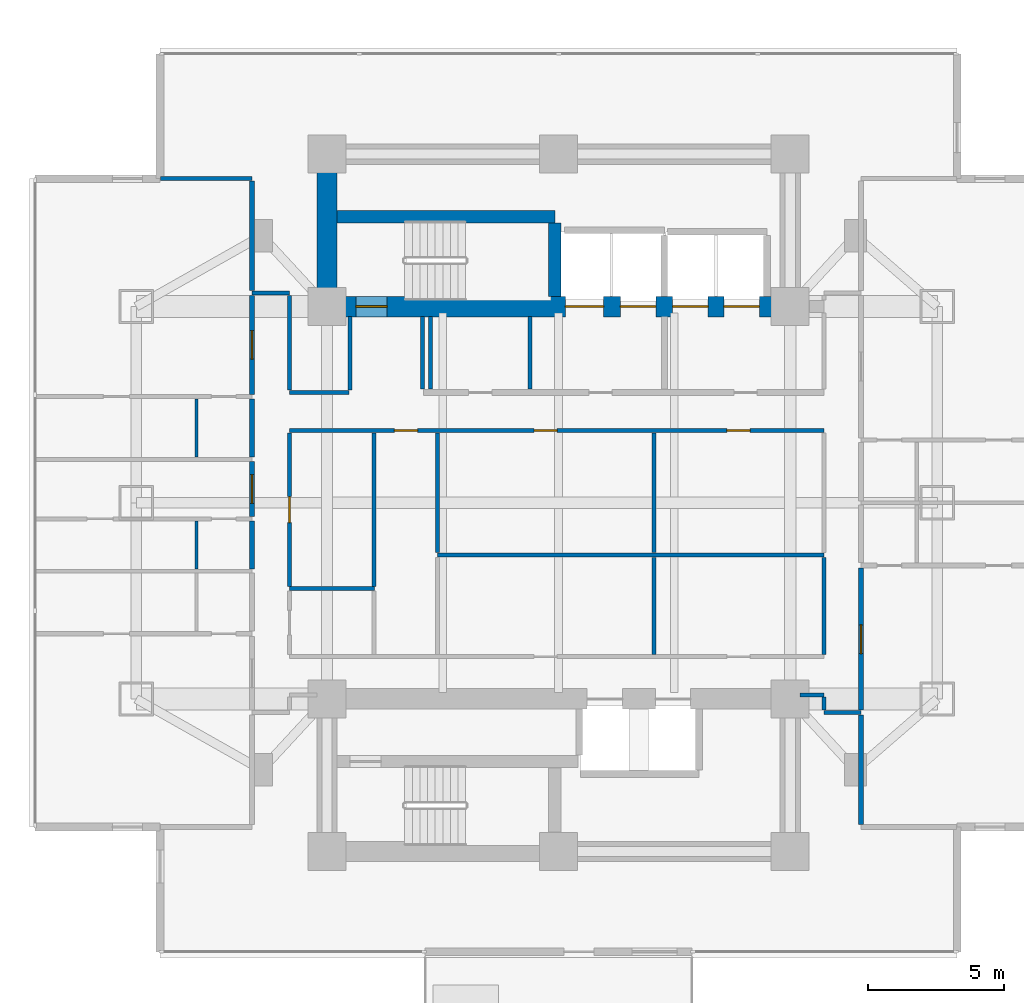
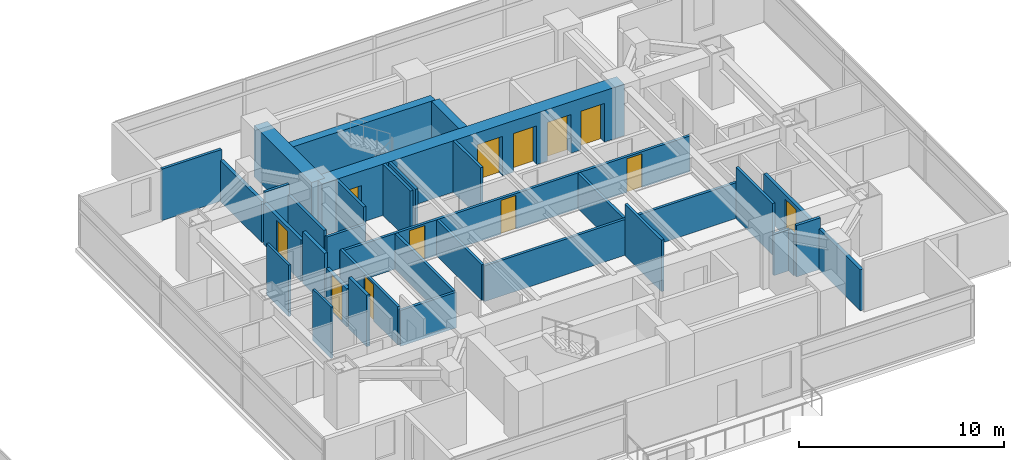
# One storey, part 19 of 27: 33 walls, 12 doors, 12 openings.
"""IFC4 building model written with IfcOpenShell, lengths in metres."""

from ifc_helpers import new_model, si_unit, direction, frame, frame_2d, origin, place, context, subcontext, project, spatial, rectangle, extrude, material, layer, layer_set, type_object, element, fill, save


model = new_model("IFC4")

# Units and contexts
model_context = context("Model", 3, precision=1e-05, world=origin(), true_north=direction((0.0, 1.0)))
body_context = subcontext(model_context, "Body", "Model", "MODEL_VIEW")
ifc_project = project(units=[si_unit("LENGTHUNIT", "METRE"), si_unit("AREAUNIT", "SQUARE_METRE"), si_unit("VOLUMEUNIT", "CUBIC_METRE"), si_unit("PLANEANGLEUNIT", "RADIAN"), si_unit("MASSUNIT", "GRAM", prefix="KILO")], contexts=[model_context])

# Site, building, storey
site_placement = place(None, origin())
site = spatial("IfcSite", under=ifc_project, at=site_placement, CompositionType="ELEMENT")
building_placement = place(site_placement, origin())
building = spatial("IfcBuilding", under=site, at=building_placement, Name="Mirazonda Arch Towers", CompositionType="ELEMENT")
storey_placement = place(building_placement, frame((0.0, 0.0, 42.199951171875)))
storey = spatial("IfcBuildingStorey", under=building, at=storey_placement, Name="L11", CompositionType="ELEMENT", Elevation=42.199951171875)

# Walls
ifc_material_1 = material(Name="Concrete C50/60", Category="concrete")
ifc_layer_1 = layer(ifc_material_1, 0.449951171875, Name="WALL-CORE-450")
ifc_layer_set_1 = layer_set([ifc_layer_1], Name="Concrete C50/60")
wall_type_1 = type_object("IfcWallType", Name="WALL-CORE-450", PredefinedType="SHEAR", material=ifc_layer_set_1)
wall_1_placement = place(storey_placement, frame((68.3701171875, 38.5, 0.0), z_axis=(0.0, 0.0, 1.0), x_axis=(1.0, 0.0, 0.0)))
element("IfcWall", 1, at=wall_1_placement, inside=storey, type_object=wall_type_1, Name="L11 Stair Core Shear Wall 056", PredefinedType="SHEAR", context=body_context, shape_type="SweptSolid", body=[
    extrude(rectangle(XDim=7.989990234375, YDim=0.449951171875, at=frame_2d((3.9951171875, 0.0))), origin(), (0.0, 0.0, 1.0), 3.06005859375),
])
wall_2_placement = place(storey_placement, frame((76.360107421875, 35.570068359375, 0.0), z_axis=(0.0, 0.0, 1.0), x_axis=(0.0, 1.0, 0.0)))
element("IfcWall", 2, at=wall_2_placement, inside=storey, type_object=wall_type_1, Name="L11 Stair Core Shear Wall 149", PredefinedType="SHEAR", context=body_context, shape_type="SweptSolid", body=[
    extrude(rectangle(XDim=2.69482421875, YDim=0.449951171875, at=frame_2d((1.347412109375, 0.0))), origin(), (0.0, 0.0, 1.0), 3.06005859375),
])
ifc_material_2 = material(Name="Concrete C60/75", Category="concrete")
ifc_layer_2 = layer(ifc_material_2, 0.75, Name="WALL-CORE-750")
ifc_layer_set_2 = layer_set([ifc_layer_2], Name="Concrete C60/75")
wall_type_2 = type_object("IfcWallType", Name="WALL-CORE-750", PredefinedType="SHEAR", material=ifc_layer_set_2)
wall_3_placement = place(storey_placement, frame((68.0, 35.199951171875, 0.0), z_axis=(0.0, 0.0, 1.0), x_axis=(0.0, 1.0, 0.0)))
element("IfcWall", 3, at=wall_3_placement, inside=storey, type_object=wall_type_2, Name="L11 T2N-W Core Shear Wall", PredefinedType="SHEAR", context=body_context, shape_type="SweptSolid", body=[
    extrude(rectangle(XDim=5.60009765625, YDim=0.75, at=frame_2d((2.800048828125, 0.0))), origin(), (0.0, 0.0, 1.0), 3.06005859375),
])

# Wall, openings, doors
wall_4_placement = place(storey_placement, frame((68.0, 35.199951171875, 0.0), z_axis=(0.0, 0.0, 1.0), x_axis=(1.0, 0.0, 0.0)))
wall_4 = element("IfcWall", 4, at=wall_4_placement, inside=storey, type_object=wall_type_2, Name="L11 T2N-S Core Shear Wall", PredefinedType="SHEAR", context=body_context, shape_type="SweptSolid", body=[
    extrude(rectangle(XDim=17.0, YDim=0.75, at=frame_2d((8.5, 0.0))), origin(), (0.0, 0.0, 1.0), 3.06005859375),
])
opening_1_placement = place(wall_4_placement, frame((1.06005859375, 0.0, 0.0)))
opening_1 = element("IfcOpeningElement", 5, at=opening_1_placement, cuts=wall_4, Name="Opening DR-135", PredefinedType="OPENING", context=body_context, shape_type="SweptSolid", body=[
    extrude(rectangle(XDim=1.14990234375, YDim=2.199951171875, at=frame_2d((0.574951171875, 1.10009765625))), frame((0.0, 0.385009765625, 0.0), z_axis=(0.0, -1.0, 0.0), x_axis=(1.0, 0.0, 0.0)), (0.0, 0.0, 1.0), 0.77001953125),
])
opening_2_placement = place(wall_4_placement, frame((8.75, 0.0, 0.0)))
opening_2 = element("IfcOpeningElement", 6, at=opening_2_placement, cuts=wall_4, Name="Opening LD-112", PredefinedType="OPENING", context=body_context, shape_type="SweptSolid", body=[
    extrude(rectangle(XDim=1.39990234375, YDim=2.35009765625, at=frame_2d((0.699951171875, 1.175048828125))), frame((0.0, 0.385009765625, 0.0), z_axis=(0.0, -1.0, 0.0), x_axis=(1.0, 0.0, 0.0)), (0.0, 0.0, 1.0), 0.77001953125),
])
opening_3_placement = place(wall_4_placement, frame((10.77001953125, 0.0, 0.0)))
opening_3 = element("IfcOpeningElement", 7, at=opening_3_placement, cuts=wall_4, Name="Opening LD-111", PredefinedType="OPENING", context=body_context, shape_type="SweptSolid", body=[
    extrude(rectangle(XDim=1.300048828125, YDim=2.300048828125, at=frame_2d((0.64990234375, 1.14990234375))), frame((0.0, 0.385009765625, 0.0), z_axis=(0.0, -1.0, 0.0), x_axis=(1.0, 0.0, 0.0)), (0.0, 0.0, 1.0), 0.77001953125),
])
opening_4_placement = place(wall_4_placement, frame((12.68994140625, 0.0, 0.0)))
opening_4 = element("IfcOpeningElement", 8, at=opening_4_placement, cuts=wall_4, Name="Opening LD-111", PredefinedType="OPENING", context=body_context, shape_type="SweptSolid", body=[
    extrude(rectangle(XDim=1.300048828125, YDim=2.300048828125, at=frame_2d((0.64990234375, 1.14990234375))), frame((0.0, 0.385009765625, 0.0), z_axis=(0.0, -1.0, 0.0), x_axis=(1.0, 0.0, 0.0)), (0.0, 0.0, 1.0), 0.77001953125),
])
opening_5_placement = place(wall_4_placement, frame((14.570068359375, 0.0, 0.0)))
opening_5 = element("IfcOpeningElement", 9, at=opening_5_placement, cuts=wall_4, Name="Opening LD-111", PredefinedType="OPENING", context=body_context, shape_type="SweptSolid", body=[
    extrude(rectangle(XDim=1.300048828125, YDim=2.300048828125, at=frame_2d((0.64990234375, 1.14990234375))), frame((0.0, 0.385009765625, 0.0), z_axis=(0.0, -1.0, 0.0), x_axis=(1.0, 0.0, 0.0)), (0.0, 0.0, 1.0), 0.77001953125),
])
ifc_material_3 = material(Name="Architectural Brushed Steel S355", Category="steel")
door_type_1 = type_object("IfcDoorType", Name="DOOR-LIFT-FFL-1400", OperationType="NOTDEFINED", PredefinedType="DOOR", material=ifc_material_3)
door_1_placement = place(opening_2_placement, origin())
door_1 = element("IfcDoor", 10, at=door_1_placement, inside=storey, type_object=door_type_1, Name="L11 Lift Landing Sliding Door FFL-T2", OperationType="DOUBLE_DOOR_SLIDING", OverallHeight=2.35009765625, OverallWidth=1.39990234375, PredefinedType="DOOR", context=body_context, shape_type="SweptSolid", body=[
    extrude(rectangle(XDim=1.39990234375, YDim=2.35009765625, at=frame_2d((0.699951171875, 1.175048828125))), frame((0.0, 0.02490234375, 0.0), z_axis=(0.0, -1.0, 0.0), x_axis=(1.0, 0.0, 0.0)), (0.0, 0.0, 1.0), 0.050048828125),
])
fill(opening_2, door_1)
door_type_2 = type_object("IfcDoorType", Name="DOOR-LIFT-LAND-1300", OperationType="NOTDEFINED", PredefinedType="DOOR", material=ifc_material_3)
door_2_placement = place(opening_3_placement, origin())
door_2 = element("IfcDoor", 11, at=door_2_placement, inside=storey, type_object=door_type_2, Name="L11 Lift Landing Sliding Door SVL-T2", OperationType="DOUBLE_DOOR_SLIDING", OverallHeight=2.300048828125, OverallWidth=1.300048828125, PredefinedType="DOOR", context=body_context, shape_type="SweptSolid", body=[
    extrude(rectangle(XDim=1.300048828125, YDim=2.300048828125, at=frame_2d((0.64990234375, 1.14990234375))), frame((0.0, 0.02490234375, 0.0), z_axis=(0.0, -1.0, 0.0), x_axis=(1.0, 0.0, 0.0)), (0.0, 0.0, 1.0), 0.050048828125),
])
fill(opening_3, door_2)
door_3_placement = place(opening_4_placement, origin())
door_3 = element("IfcDoor", 12, at=door_3_placement, inside=storey, type_object=door_type_2, Name="L11 Lift Landing Sliding Door PL-T2L1", OperationType="DOUBLE_DOOR_SLIDING", OverallHeight=2.300048828125, OverallWidth=1.300048828125, PredefinedType="DOOR", context=body_context, shape_type="SweptSolid", body=[
    extrude(rectangle(XDim=1.300048828125, YDim=2.300048828125, at=frame_2d((0.64990234375, 1.14990234375))), frame((0.0, 0.02490234375, 0.0), z_axis=(0.0, -1.0, 0.0), x_axis=(1.0, 0.0, 0.0)), (0.0, 0.0, 1.0), 0.050048828125),
])
fill(opening_4, door_3)
door_4_placement = place(opening_5_placement, origin())
door_4 = element("IfcDoor", 13, at=door_4_placement, inside=storey, type_object=door_type_2, Name="L11 Lift Landing Sliding Door PL-T2L2", OperationType="DOUBLE_DOOR_SLIDING", OverallHeight=2.300048828125, OverallWidth=1.300048828125, PredefinedType="DOOR", context=body_context, shape_type="SweptSolid", body=[
    extrude(rectangle(XDim=1.300048828125, YDim=2.300048828125, at=frame_2d((0.64990234375, 1.14990234375))), frame((0.0, 0.02490234375, 0.0), z_axis=(0.0, -1.0, 0.0), x_axis=(1.0, 0.0, 0.0)), (0.0, 0.0, 1.0), 0.050048828125),
])
fill(opening_5, door_4)
door_type_3 = type_object("IfcDoorType", Name="DOOR-STAIR-FD90-1150", OperationType="NOTDEFINED", PredefinedType="DOOR", material=ifc_material_3)
door_5_placement = place(opening_1_placement, origin())
door_5 = element("IfcDoor", 14, at=door_5_placement, inside=storey, type_object=door_type_3, Name="L11 East Protected Stair North Door", OperationType="SINGLE_SWING_RIGHT", OverallHeight=2.199951171875, OverallWidth=1.14990234375, PredefinedType="DOOR", context=body_context, shape_type="SweptSolid", body=[
    extrude(rectangle(XDim=1.14990234375, YDim=2.199951171875, at=frame_2d((0.574951171875, 1.10009765625))), frame((0.0, 0.02490234375, 0.0), z_axis=(0.0, -1.0, 0.0), x_axis=(1.0, 0.0, 0.0)), (0.0, 0.0, 1.0), 0.050048828125),
])
fill(opening_1, door_5)

# Walls
ifc_material_4 = material(Name="Fire-Rated Gypsum Stud Partition")
ifc_layer_3 = layer(ifc_material_4, 0.14990234375, Name="WALL-PART-CORR-150")
ifc_layer_set_3 = layer_set([ifc_layer_3], Name="Fire-Rated Gypsum Stud Partition")
wall_type_3 = type_object("IfcWallType", Name="WALL-PART-CORR-150", PredefinedType="PARTITIONING", material=ifc_layer_set_3)
wall_5_placement = place(storey_placement, frame((86.25, 20.300048828125, 0.0), z_axis=(0.0, 0.0, 1.0), x_axis=(1.0, 0.0, 0.0)))
element("IfcWall", 15, at=wall_5_placement, inside=storey, type_object=wall_type_3, Name="L11 Interior Partition 018", PredefinedType="PARTITIONING", context=body_context, shape_type="SweptSolid", body=[
    extrude(rectangle(XDim=1.35009765625, YDim=0.14990234375, at=frame_2d((0.675048828125, 0.0))), origin(), (0.0, 0.0, 1.0), 3.06005859375),
])
wall_6_placement = place(storey_placement, frame((85.3701171875, 20.949951171875, 0.0), z_axis=(0.0, 0.0, 1.0), x_axis=(1.0, 0.0, 0.0)))
element("IfcWall", 16, at=wall_6_placement, inside=storey, type_object=wall_type_3, Name="L11 Interior Partition 021", PredefinedType="PARTITIONING", context=body_context, shape_type="SweptSolid", body=[
    extrude(rectangle(XDim=0.8798828125, YDim=0.14990234375, at=frame_2d((0.43994140625, 0.0))), origin(), (0.0, 0.0, 1.0), 2.4521484375),
])
wall_7_placement = place(storey_placement, frame((66.6201171875, 24.85009765625, 0.0), z_axis=(0.0, 0.0, 1.0), x_axis=(1.0, 0.0, 0.0)))
element("IfcWall", 17, at=wall_7_placement, inside=storey, type_object=wall_type_3, Name="L11 Interior Partition 027", PredefinedType="PARTITIONING", context=body_context, shape_type="SweptSolid", body=[
    extrude(rectangle(XDim=3.1298828125, YDim=0.14990234375, at=frame_2d((1.56494140625, 0.0))), origin(), (0.0, 0.0, 1.0), 2.125),
])
wall_8_placement = place(storey_placement, frame((72.050048828125, 26.0849609375, 0.0), z_axis=(0.0, 0.0, 1.0), x_axis=(1.0, 0.0, 0.0)))
element("IfcWall", 18, at=wall_8_placement, inside=storey, type_object=wall_type_3, Name="L11 Interior Partition 032", PredefinedType="PARTITIONING", context=body_context, shape_type="SweptSolid", body=[
    extrude(rectangle(XDim=14.199951171875, YDim=0.14990234375, at=frame_2d((7.10009765625, 0.0))), origin(), (0.0, 0.0, 1.0), 2.125),
])

# Wall, openings, doors
wall_9_placement = place(storey_placement, frame((66.6201171875, 30.64990234375, 0.0), z_axis=(0.0, 0.0, 1.0), x_axis=(1.0, 0.0, 0.0)))
wall_9 = element("IfcWall", 19, at=wall_9_placement, inside=storey, type_object=wall_type_3, Name="L11 Interior Partition 039", PredefinedType="PARTITIONING", context=body_context, shape_type="SweptSolid", body=[
    extrude(rectangle(XDim=19.6298828125, YDim=0.14990234375, at=frame_2d((9.81494140625, 0.0))), origin(), (0.0, 0.0, 1.0), 2.125),
])
opening_6_placement = place(wall_9_placement, frame((3.85498046875, 0.0, 0.0)))
opening_6 = element("IfcOpeningElement", 20, at=opening_6_placement, cuts=wall_9, Name="Opening DR-128", PredefinedType="OPENING", context=body_context, shape_type="SweptSolid", body=[
    extrude(rectangle(XDim=0.85009765625, YDim=2.010009765625, at=frame_2d((0.425048828125, 1.0048828125))), frame((0.0, 0.0849609375, 0.0), z_axis=(0.0, -1.0, 0.0), x_axis=(1.0, 0.0, 0.0)), (0.0, 0.0, 1.0), 0.169921875),
])
opening_7_placement = place(wall_9_placement, frame((8.98095703125, 0.0, 0.0)))
opening_7 = element("IfcOpeningElement", 21, at=opening_7_placement, cuts=wall_9, Name="Opening DR-128", PredefinedType="OPENING", context=body_context, shape_type="SweptSolid", body=[
    extrude(rectangle(XDim=0.85009765625, YDim=2.010009765625, at=frame_2d((0.425048828125, 1.0048828125))), frame((0.0, 0.0849609375, 0.0), z_axis=(0.0, -1.0, 0.0), x_axis=(1.0, 0.0, 0.0)), (0.0, 0.0, 1.0), 0.169921875),
])
opening_8_placement = place(wall_9_placement, frame((16.06103515625, 0.0, 0.0)))
opening_8 = element("IfcOpeningElement", 22, at=opening_8_placement, cuts=wall_9, Name="Opening DR-128", PredefinedType="OPENING", context=body_context, shape_type="SweptSolid", body=[
    extrude(rectangle(XDim=0.85009765625, YDim=2.010009765625, at=frame_2d((0.425048828125, 1.0048828125))), frame((0.0, 0.0849609375, 0.0), z_axis=(0.0, -1.0, 0.0), x_axis=(1.0, 0.0, 0.0)), (0.0, 0.0, 1.0), 0.169921875),
])
door_type_4 = type_object("IfcDoorType", Name="DOOR-RISER-FD60-850", OperationType="NOTDEFINED", PredefinedType="DOOR", material=ifc_material_3)
door_6_placement = place(opening_6_placement, origin())
door_6 = element("IfcDoor", 23, at=door_6_placement, inside=storey, type_object=door_type_4, Name="L11 L11 East Courtyard Study Door", OperationType="SINGLE_SWING_LEFT", OverallHeight=2.010009765625, OverallWidth=0.85009765625, PredefinedType="DOOR", context=body_context, shape_type="SweptSolid", body=[
    extrude(rectangle(XDim=0.85009765625, YDim=2.010009765625, at=frame_2d((0.425048828125, 1.0048828125))), frame((0.0, 0.02490234375, 0.0), z_axis=(0.0, -1.0, 0.0), x_axis=(1.0, 0.0, 0.0)), (0.0, 0.0, 1.0), 0.050048828125),
])
fill(opening_6, door_6)
door_7_placement = place(opening_7_placement, origin())
door_7 = element("IfcDoor", 24, at=door_7_placement, inside=storey, type_object=door_type_4, Name="L11 Concierge Salon Door", OperationType="SINGLE_SWING_RIGHT", OverallHeight=2.010009765625, OverallWidth=0.85009765625, PredefinedType="DOOR", context=body_context, shape_type="SweptSolid", body=[
    extrude(rectangle(XDim=0.85009765625, YDim=2.010009765625, at=frame_2d((0.425048828125, 1.0048828125))), frame((0.0, 0.02490234375, 0.0), z_axis=(0.0, -1.0, 0.0), x_axis=(1.0, 0.0, 0.0)), (0.0, 0.0, 1.0), 0.050048828125),
])
fill(opening_7, door_7)
door_8_placement = place(opening_8_placement, origin())
door_8 = element("IfcDoor", 25, at=door_8_placement, inside=storey, type_object=door_type_4, Name="L11 Private Meeting Suite Door", OperationType="SINGLE_SWING_LEFT", OverallHeight=2.010009765625, OverallWidth=0.85009765625, PredefinedType="DOOR", context=body_context, shape_type="SweptSolid", body=[
    extrude(rectangle(XDim=0.85009765625, YDim=2.010009765625, at=frame_2d((0.425048828125, 1.0048828125))), frame((0.0, 0.02490234375, 0.0), z_axis=(0.0, -1.0, 0.0), x_axis=(1.0, 0.0, 0.0)), (0.0, 0.0, 1.0), 0.050048828125),
])
fill(opening_8, door_8)

# Walls
wall_10_placement = place(storey_placement, frame((66.6201171875, 32.050048828125, 0.0), z_axis=(0.0, 0.0, 1.0), x_axis=(1.0, 0.0, 0.0)))
element("IfcWall", 26, at=wall_10_placement, inside=storey, type_object=wall_type_3, Name="L11 Interior Partition 042", PredefinedType="PARTITIONING", context=body_context, shape_type="SweptSolid", body=[
    extrude(rectangle(XDim=2.179931640625, YDim=0.14990234375, at=frame_2d((1.08984375, 0.0))), origin(), (0.0, 0.0, 1.0), 2.125),
])
wall_11_placement = place(storey_placement, frame((65.25, 35.699951171875, 0.0), z_axis=(0.0, 0.0, 1.0), x_axis=(1.0, 0.0, 0.0)))
element("IfcWall", 27, at=wall_11_placement, inside=storey, type_object=wall_type_3, Name="L11 Interior Partition 051", PredefinedType="PARTITIONING", context=body_context, shape_type="SweptSolid", body=[
    extrude(rectangle(XDim=1.3701171875, YDim=0.14990234375, at=frame_2d((0.68505859375, 0.0))), origin(), (0.0, 0.0, 1.0), 3.06005859375),
])
wall_12_placement = place(storey_placement, frame((61.89208984375, 39.89990234375, 0.0), z_axis=(0.0, 0.0, 1.0), x_axis=(1.0, 0.0, 0.0)))
element("IfcWall", 28, at=wall_12_placement, inside=storey, type_object=wall_type_3, Name="L11 Interior Partition 057", PredefinedType="PARTITIONING", context=body_context, shape_type="SweptSolid", body=[
    extrude(rectangle(XDim=3.35791015625, YDim=0.14990234375, at=frame_2d((1.678955078125, 0.0))), origin(), (0.0, 0.0, 1.0), 3.06005859375),
])

# Wall, opening, door
wall_13_placement = place(storey_placement, frame((66.6201171875, 24.93505859375, 0.0), z_axis=(0.0, 0.0, 1.0), x_axis=(0.0, 1.0, 0.0)))
wall_13 = element("IfcWall", 29, at=wall_13_placement, inside=storey, type_object=wall_type_3, Name="L11 Interior Partition 138", PredefinedType="PARTITIONING", context=body_context, shape_type="SweptSolid", body=[
    extrude(rectangle(XDim=5.6298828125, YDim=0.14990234375, at=frame_2d((2.81494140625, 0.0))), origin(), (0.0, 0.0, 1.0), 2.279052734375),
])
opening_9_placement = place(wall_13_placement, frame((2.340087890625, 0.0, 0.0)))
opening_9 = element("IfcOpeningElement", 30, at=opening_9_placement, cuts=wall_13, Name="Opening DR-104", PredefinedType="OPENING", context=body_context, shape_type="SweptSolid", body=[
    extrude(rectangle(XDim=0.949951171875, YDim=2.14990234375, at=frame_2d((0.47509765625, 1.074951171875))), frame((0.0, 0.0849609375, 0.0), z_axis=(0.0, -1.0, 0.0), x_axis=(1.0, 0.0, 0.0)), (0.0, 0.0, 1.0), 0.169921875),
])
door_type_5 = type_object("IfcDoorType", Name="DOOR-ROOM-950", OperationType="NOTDEFINED", PredefinedType="DOOR", material=ifc_material_3)
door_9_placement = place(opening_9_placement, origin())
door_9 = element("IfcDoor", 31, at=door_9_placement, inside=storey, type_object=door_type_5, Name="L11 L11 East Courtyard Reading Study Door", OperationType="SINGLE_SWING_RIGHT", OverallHeight=2.14990234375, OverallWidth=0.949951171875, PredefinedType="DOOR", context=body_context, shape_type="SweptSolid", body=[
    extrude(rectangle(XDim=0.949951171875, YDim=2.14990234375, at=frame_2d((0.47509765625, 1.074951171875))), frame((0.0, 0.02490234375, 0.0), z_axis=(0.0, -1.0, 0.0), x_axis=(1.0, 0.0, 0.0)), (0.0, 0.0, 1.0), 0.050048828125),
])
fill(opening_9, door_9)

# Walls
wall_14_placement = place(storey_placement, frame((66.6201171875, 32.135009765625, 0.0), z_axis=(0.0, 0.0, 1.0), x_axis=(0.0, 1.0, 0.0)))
element("IfcWall", 32, at=wall_14_placement, inside=storey, type_object=wall_type_3, Name="L11 Interior Partition 139", PredefinedType="PARTITIONING", context=body_context, shape_type="SweptSolid", body=[
    extrude(rectangle(XDim=3.47998046875, YDim=0.14990234375, at=frame_2d((1.739990234375, 0.0))), origin(), (0.0, 0.0, 1.0), 2.4521484375),
])
wall_15_placement = place(storey_placement, frame((68.85009765625, 32.135009765625, 0.0), z_axis=(0.0, 0.0, 1.0), x_axis=(0.0, 1.0, 0.0)))
element("IfcWall", 33, at=wall_15_placement, inside=storey, type_object=wall_type_3, Name="L11 Interior Partition 140", PredefinedType="PARTITIONING", context=body_context, shape_type="SweptSolid", body=[
    extrude(rectangle(XDim=2.695068359375, YDim=0.14990234375, at=frame_2d((1.34765625, 0.0))), origin(), (0.0, 0.0, 1.0), 3.06005859375),
])
wall_16_placement = place(storey_placement, frame((69.723388671875, 24.93505859375, 0.0), z_axis=(0.0, 0.0, 1.0), x_axis=(0.0, 1.0, 0.0)))
element("IfcWall", 34, at=wall_16_placement, inside=storey, type_object=wall_type_3, Name="L11 Interior Partition 142", PredefinedType="PARTITIONING", context=body_context, shape_type="SweptSolid", body=[
    extrude(rectangle(XDim=5.6298828125, YDim=0.14990234375, at=frame_2d((2.81494140625, 0.0))), origin(), (0.0, 0.0, 1.0), 2.125),
])
for number, where, z_axis, x_axis, name in (
    (35, (71.5, 32.169921875, 0.0), (0.0, 0.0, 1.0), (0.0, 1.0, 0.0), "L11 Interior Partition 143"),
    (36, (71.800048828125, 32.169921875, 0.0), (0.0, 0.0, 1.0), (0.0, 1.0, 0.0), "L11 Interior Partition 144"),
):
    element("IfcWall", number, at=place(storey_placement, frame(where, z_axis=z_axis, x_axis=x_axis)), inside=storey, type_object=wall_type_3, Name=name, PredefinedType="PARTITIONING", context=body_context, shape_type="SweptSolid", body=[
        extrude(rectangle(XDim=2.66015625, YDim=0.14990234375, at=frame_2d((1.330078125, 0.0))), origin(), (0.0, 0.0, 1.0), 3.06005859375),
    ])
wall_17_placement = place(storey_placement, frame((72.050048828125, 26.169921875, 0.0), z_axis=(0.0, 0.0, 1.0), x_axis=(0.0, 1.0, 0.0)))
element("IfcWall", 37, at=wall_17_placement, inside=storey, type_object=wall_type_3, Name="L11 Interior Partition 146", PredefinedType="PARTITIONING", context=body_context, shape_type="SweptSolid", body=[
    extrude(rectangle(XDim=4.39501953125, YDim=0.14990234375, at=frame_2d((2.197509765625, 0.0))), origin(), (0.0, 0.0, 1.0), 2.125),
])
wall_18_placement = place(storey_placement, frame((75.449951171875, 32.169921875, 0.0), z_axis=(0.0, 0.0, 1.0), x_axis=(0.0, 1.0, 0.0)))
element("IfcWall", 38, at=wall_18_placement, inside=storey, type_object=wall_type_3, Name="L11 Interior Partition 147", PredefinedType="PARTITIONING", context=body_context, shape_type="SweptSolid", body=[
    extrude(rectangle(XDim=2.66015625, YDim=0.14990234375, at=frame_2d((1.330078125, 0.0))), origin(), (0.0, 0.0, 1.0), 3.06005859375),
])
wall_19_placement = place(storey_placement, frame((80.001953125, 22.43505859375, 0.0), z_axis=(0.0, 0.0, 1.0), x_axis=(0.0, 1.0, 0.0)))
element("IfcWall", 39, at=wall_19_placement, inside=storey, type_object=wall_type_3, Name="L11 Interior Partition 151", PredefinedType="PARTITIONING", context=body_context, shape_type="SweptSolid", body=[
    extrude(rectangle(XDim=3.56494140625, YDim=0.14990234375, at=frame_2d((1.782470703125, 0.0))), origin(), (0.0, 0.0, 1.0), 3.06005859375),
])
wall_20_placement = place(storey_placement, frame((80.001953125, 26.169921875, 0.0), z_axis=(0.0, 0.0, 1.0), x_axis=(0.0, 1.0, 0.0)))
element("IfcWall", 40, at=wall_20_placement, inside=storey, type_object=wall_type_3, Name="L11 Interior Partition 152", PredefinedType="PARTITIONING", context=body_context, shape_type="SweptSolid", body=[
    extrude(rectangle(XDim=4.39501953125, YDim=0.14990234375, at=frame_2d((2.197509765625, 0.0))), origin(), (0.0, 0.0, 1.0), 2.125),
])
wall_21_placement = place(storey_placement, frame((86.25, 20.385009765625, 0.0), z_axis=(0.0, 0.0, 1.0), x_axis=(0.0, 1.0, 0.0)))
element("IfcWall", 41, at=wall_21_placement, inside=storey, type_object=wall_type_3, Name="L11 Interior Partition 157", PredefinedType="PARTITIONING", context=body_context, shape_type="SweptSolid", body=[
    extrude(rectangle(XDim=0.47998046875, YDim=0.14990234375, at=frame_2d((0.239990234375, 0.0))), origin(), (0.0, 0.0, 1.0), 2.4521484375),
])
wall_22_placement = place(storey_placement, frame((86.25, 22.43505859375, 0.0), z_axis=(0.0, 0.0, 1.0), x_axis=(0.0, 1.0, 0.0)))
element("IfcWall", 42, at=wall_22_placement, inside=storey, type_object=wall_type_3, Name="L11 Interior Partition 158", PredefinedType="PARTITIONING", context=body_context, shape_type="SweptSolid", body=[
    extrude(rectangle(XDim=3.56494140625, YDim=0.14990234375, at=frame_2d((1.782470703125, 0.0))), origin(), (0.0, 0.0, 1.0), 3.06005859375),
])
ifc_material_5 = material(Name="Fire-Rated Gypsum Twin-Stud Assembly")
ifc_layer_4 = layer(ifc_material_5, 0.179931640625, Name="WALL-PART-DEMISE-180")
ifc_layer_set_4 = layer_set([ifc_layer_4], Name="Fire-Rated Gypsum Twin-Stud Assembly")
wall_type_4 = type_object("IfcWallType", Name="WALL-PART-DEMISE-180", PredefinedType="PARTITIONING", material=ifc_layer_set_4)
wall_23_placement = place(storey_placement, frame((65.25, 25.564453125, 0.0), z_axis=(0.0, 0.0, 1.0), x_axis=(0.0, 1.0, 0.0)))
element("IfcWall", 43, at=wall_23_placement, inside=storey, type_object=wall_type_4, Name="L11 Interior Partition 131", PredefinedType="PARTITIONING", context=body_context, shape_type="SweptSolid", body=[
    extrude(rectangle(XDim=1.762451171875, YDim=0.179931640625, at=frame_2d((0.88134765625, 0.0))), origin(), (0.0, 0.0, 1.0), 3.06005859375),
])

# Wall, opening, door
wall_24_placement = place(storey_placement, frame((65.25, 27.4970703125, 0.0), z_axis=(0.0, 0.0, 1.0), x_axis=(0.0, 1.0, 0.0)))
wall_24 = element("IfcWall", 44, at=wall_24_placement, inside=storey, type_object=wall_type_4, Name="L11 Interior Partition 132", PredefinedType="PARTITIONING", context=body_context, shape_type="SweptSolid", body=[
    extrude(rectangle(XDim=2.013916015625, YDim=0.179931640625, at=frame_2d((1.0068359375, 0.0))), origin(), (0.0, 0.0, 1.0), 2.279052734375),
])
opening_10_placement = place(wall_24_placement, frame((0.48193359375, 0.0, 0.0)))
opening_10 = element("IfcOpeningElement", 45, at=opening_10_placement, cuts=wall_24, Name="Opening DR-121", PredefinedType="OPENING", context=body_context, shape_type="SweptSolid", body=[
    extrude(rectangle(XDim=1.050048828125, YDim=2.199951171875, at=frame_2d((0.52490234375, 1.10009765625))), frame((0.0, 0.099853515625, 0.0), z_axis=(0.0, -1.0, 0.0), x_axis=(1.0, 0.0, 0.0)), (0.0, 0.0, 1.0), 0.199951171875),
])
door_type_6 = type_object("IfcDoorType", Name="DOOR-SUITE-FD60-1050", OperationType="NOTDEFINED", PredefinedType="DOOR", material=ifc_material_3)
door_10_placement = place(opening_10_placement, origin())
door_10 = element("IfcDoor", 46, at=door_10_placement, inside=storey, type_object=door_type_6, Name="L11 Twin Hotel Guestroom 2 Door", OperationType="SINGLE_SWING_RIGHT", OverallHeight=2.199951171875, OverallWidth=1.050048828125, PredefinedType="DOOR", context=body_context, shape_type="SweptSolid", body=[
    extrude(rectangle(XDim=1.050048828125, YDim=2.199951171875, at=frame_2d((0.52490234375, 1.10009765625))), frame((0.0, 0.02490234375, 0.0), z_axis=(0.0, -1.0, 0.0), x_axis=(1.0, 0.0, 0.0)), (0.0, 0.0, 1.0), 0.050048828125),
])
fill(opening_10, door_10)

# Wall
wall_25_placement = place(storey_placement, frame((65.25, 29.680908203125, 0.0), z_axis=(0.0, 0.0, 1.0), x_axis=(0.0, 1.0, 0.0)))
element("IfcWall", 47, at=wall_25_placement, inside=storey, type_object=wall_type_4, Name="L11 Interior Partition 133", PredefinedType="PARTITIONING", context=body_context, shape_type="SweptSolid", body=[
    extrude(rectangle(XDim=2.130126953125, YDim=0.179931640625, at=frame_2d((1.06494140625, 0.0))), origin(), (0.0, 0.0, 1.0), 3.06005859375),
])

# Wall, opening, door
wall_26_placement = place(storey_placement, frame((65.25, 31.98095703125, 0.0), z_axis=(0.0, 0.0, 1.0), x_axis=(0.0, 1.0, 0.0)))
wall_26 = element("IfcWall", 48, at=wall_26_placement, inside=storey, type_object=wall_type_4, Name="L11 Interior Partition 134", PredefinedType="PARTITIONING", context=body_context, shape_type="SweptSolid", body=[
    extrude(rectangle(XDim=3.634033203125, YDim=0.179931640625, at=frame_2d((1.81689453125, 0.0))), origin(), (0.0, 0.0, 1.0), 2.4521484375),
])
opening_11_placement = place(wall_26_placement, frame((1.2919921875, 0.0, 0.0)))
opening_11 = element("IfcOpeningElement", 49, at=opening_11_placement, cuts=wall_26, Name="Opening DR-121", PredefinedType="OPENING", context=body_context, shape_type="SweptSolid", body=[
    extrude(rectangle(XDim=1.050048828125, YDim=2.199951171875, at=frame_2d((0.52490234375, 1.10009765625))), frame((0.0, 0.099853515625, 0.0), z_axis=(0.0, -1.0, 0.0), x_axis=(1.0, 0.0, 0.0)), (0.0, 0.0, 1.0), 0.199951171875),
])
door_11_placement = place(opening_11_placement, origin())
door_11 = element("IfcDoor", 50, at=door_11_placement, inside=storey, type_object=door_type_6, Name="L11 King Hotel Guestroom 3 Door", OperationType="SINGLE_SWING_LEFT", OverallHeight=2.199951171875, OverallWidth=1.050048828125, PredefinedType="DOOR", context=body_context, shape_type="SweptSolid", body=[
    extrude(rectangle(XDim=1.050048828125, YDim=2.199951171875, at=frame_2d((0.52490234375, 1.10009765625))), frame((0.0, 0.02490234375, 0.0), z_axis=(0.0, -1.0, 0.0), x_axis=(1.0, 0.0, 0.0)), (0.0, 0.0, 1.0), 0.050048828125),
])
fill(opening_11, door_11)

# Walls
wall_27_placement = place(storey_placement, frame((65.25, 35.784912109375, 0.0), z_axis=(0.0, 0.0, 1.0), x_axis=(0.0, 1.0, 0.0)))
element("IfcWall", 51, at=wall_27_placement, inside=storey, type_object=wall_type_4, Name="L11 Interior Partition 135", PredefinedType="PARTITIONING", context=body_context, shape_type="SweptSolid", body=[
    extrude(rectangle(XDim=4.030029296875, YDim=0.179931640625, at=frame_2d((2.01513671875, 0.0))), origin(), (0.0, 0.0, 1.0), 2.43603515625),
])
wall_28_placement = place(storey_placement, frame((87.60009765625, 16.199951171875, 0.0), z_axis=(0.0, 0.0, 1.0), x_axis=(0.0, 1.0, 0.0)))
element("IfcWall", 52, at=wall_28_placement, inside=storey, type_object=wall_type_4, Name="L11 Interior Partition 162", PredefinedType="PARTITIONING", context=body_context, shape_type="SweptSolid", body=[
    extrude(rectangle(XDim=4.01513671875, YDim=0.179931640625, at=frame_2d((2.007568359375, 0.0))), origin(), (0.0, 0.0, 1.0), 2.43603515625),
])

# Wall, opening, door
wall_29_placement = place(storey_placement, frame((87.60009765625, 20.385009765625, 0.0), z_axis=(0.0, 0.0, 1.0), x_axis=(0.0, 1.0, 0.0)))
wall_29 = element("IfcWall", 53, at=wall_29_placement, inside=storey, type_object=wall_type_4, Name="L11 Interior Partition 163", PredefinedType="PARTITIONING", context=body_context, shape_type="SweptSolid", body=[
    extrude(rectangle(XDim=5.215087890625, YDim=0.179931640625, at=frame_2d((2.607421875, 0.0))), origin(), (0.0, 0.0, 1.0), 2.4521484375),
])
opening_12_placement = place(wall_29_placement, frame((2.08251953125, 0.0, 0.0)))
opening_12 = element("IfcOpeningElement", 54, at=opening_12_placement, cuts=wall_29, Name="Opening DR-121", PredefinedType="OPENING", context=body_context, shape_type="SweptSolid", body=[
    extrude(rectangle(XDim=1.050048828125, YDim=2.199951171875, at=frame_2d((0.52490234375, 1.10009765625))), frame((0.0, 0.099853515625, 0.0), z_axis=(0.0, -1.0, 0.0), x_axis=(1.0, 0.0, 0.0)), (0.0, 0.0, 1.0), 0.199951171875),
])
door_12_placement = place(opening_12_placement, origin())
door_12 = element("IfcDoor", 55, at=door_12_placement, inside=storey, type_object=door_type_6, Name="L11 Presidential Hotel Suite 1 Door", OperationType="SINGLE_SWING_RIGHT", OverallHeight=2.199951171875, OverallWidth=1.050048828125, PredefinedType="DOOR", context=body_context, shape_type="SweptSolid", body=[
    extrude(rectangle(XDim=1.050048828125, YDim=2.199951171875, at=frame_2d((0.52490234375, 1.10009765625))), frame((0.0, 0.02490234375, 0.0), z_axis=(0.0, -1.0, 0.0), x_axis=(1.0, 0.0, 0.0)), (0.0, 0.0, 1.0), 0.050048828125),
])
fill(opening_12, door_12)

# Walls
ifc_material_6 = material(Name="Acoustic Fire-Rated Gypsum Partition")
ifc_layer_5 = layer(ifc_material_6, 0.125, Name="WALL-PART-UNIT-125")
ifc_layer_set_5 = layer_set([ifc_layer_5], Name="Acoustic Fire-Rated Gypsum Partition")
wall_type_5 = type_object("IfcWallType", Name="WALL-PART-UNIT-125", PredefinedType="PARTITIONING", material=ifc_layer_set_5)
wall_30_placement = place(storey_placement, frame((63.2099609375, 25.564453125, 0.0), z_axis=(0.0, 0.0, 1.0), x_axis=(0.0, 1.0, 0.0)))
element("IfcWall", 56, at=wall_30_placement, inside=storey, type_object=wall_type_5, Name="L11 Interior Partition 126", PredefinedType="PARTITIONING", context=body_context, shape_type="SweptSolid", body=[
    extrude(rectangle(XDim=1.762451171875, YDim=0.125, at=frame_2d((0.88134765625, 0.0))), origin(), (0.0, 0.0, 1.0), 3.06005859375),
])
wall_31_placement = place(storey_placement, frame((63.2099609375, 29.680908203125, 0.0), z_axis=(0.0, 0.0, 1.0), x_axis=(0.0, 1.0, 0.0)))
element("IfcWall", 57, at=wall_31_placement, inside=storey, type_object=wall_type_5, Name="L11 Interior Partition 127", PredefinedType="PARTITIONING", context=body_context, shape_type="SweptSolid", body=[
    extrude(rectangle(XDim=2.130126953125, YDim=0.125, at=frame_2d((1.06494140625, 0.0))), origin(), (0.0, 0.0, 1.0), 3.06005859375),
])

save(model, "model.ifc")
